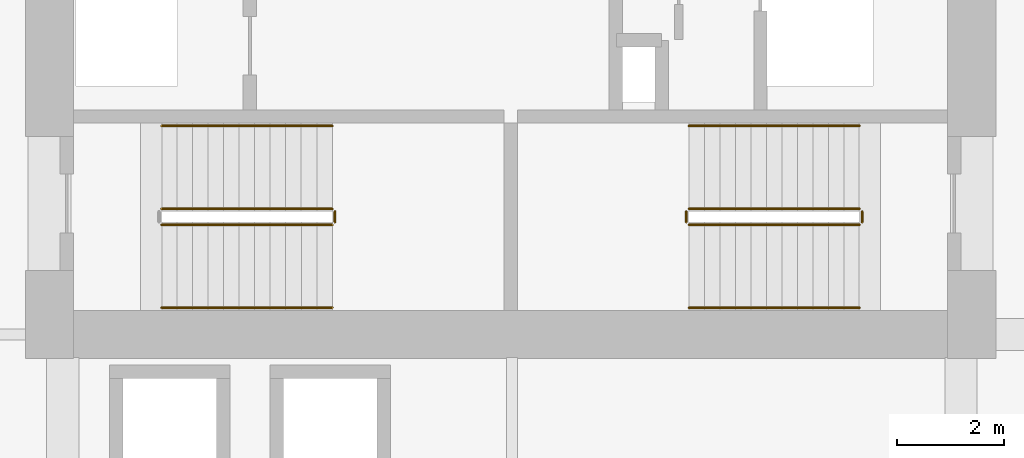
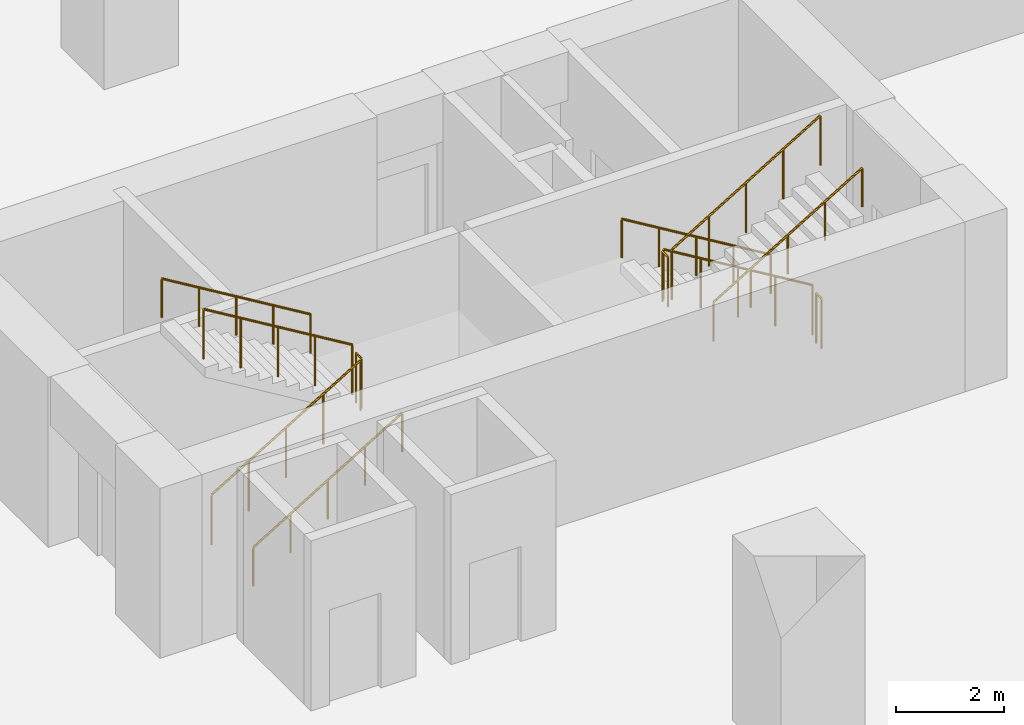
# One storey, part 12 of 13: 11 railings.
"""IFC4 building model written with IfcOpenShell, lengths in metres."""

from ifc_helpers import new_model, si_unit, direction, frame, origin, origin_2d, place, context, subcontext, project, spatial, circle, extrude, material, type_object, element, save


model = new_model("IFC4")

# Units and contexts
model_context = context("Model", 3, precision=1e-05, world=origin(), true_north=direction((0.0, 1.0)))
body_context = subcontext(model_context, "Body", "Model", "MODEL_VIEW")
ifc_project = project(units=[si_unit("LENGTHUNIT", "METRE"), si_unit("AREAUNIT", "SQUARE_METRE"), si_unit("VOLUMEUNIT", "CUBIC_METRE"), si_unit("PLANEANGLEUNIT", "RADIAN"), si_unit("MASSUNIT", "GRAM", prefix="KILO")], contexts=[model_context])

# Site, building, storey
site_placement = place(None, origin())
site = spatial("IfcSite", under=ifc_project, at=site_placement, CompositionType="ELEMENT")
building_placement = place(site_placement, origin())
building = spatial("IfcBuilding", under=site, at=building_placement, Name="Koriwani Terraces Tower", CompositionType="ELEMENT")
storey_placement = place(building_placement, frame((0.0, 0.0, -4.199951171875)))
storey = spatial("IfcBuildingStorey", under=building, at=storey_placement, Name="B01", CompositionType="ELEMENT", Elevation=-4.199951171875)

# Railings
ifc_material = material(Name="Steel ASTM A572 Grade 50", Category="steel")
railing_type_1 = type_object("IfcRailingType", Name="GUARD_STAIR_WELL_1120", PredefinedType="GUARDRAIL", material=ifc_material)
railing_1_placement = place(storey_placement, frame((43.85009765625, 18.85009765625, 0.175048828125)))
element("IfcRailing", 1, at=railing_1_placement, inside=storey, type_object=railing_type_1, Name="B01 ST-E1 stair guard 1", PredefinedType="GUARDRAIL", context=body_context, shape_type="SweptSolid", body=[
    extrude(circle(Radius=0.02392578125, at=origin_2d()), frame((0.0, 0.0, 1.1259765625), z_axis=(0.856206652436, 0.0, 0.516633495163), x_axis=(0.0, 1.0, 0.0)), (0.0, 0.0, 1.0), 3.7255859375),
    extrude(circle(Radius=0.02099609375, at=origin_2d()), origin(), (0.0, 0.0, 1.0), 1.101806640625),
    extrude(circle(Radius=0.02099609375, at=origin_2d()), frame((0.79736328125, 0.0, 0.481201171875)), (0.0, 0.0, 1.0), 1.101806640625),
    extrude(circle(Radius=0.02099609375, at=origin_2d()), frame((1.594970703125, 0.0, 0.96240234375)), (0.0, 0.0, 1.0), 1.101806640625),
    extrude(circle(Radius=0.02099609375, at=origin_2d()), frame((2.392578125, 0.0, 1.443603515625)), (0.0, 0.0, 1.0), 1.101806640625),
    extrude(circle(Radius=0.02099609375, at=origin_2d()), frame((3.18994140625, 0.0, 1.9248046875)), (0.0, 0.0, 1.0), 1.101806640625),
])
railing_2_placement = place(storey_placement, frame((47.090087890625, 18.89990234375, 2.099853515625)))
element("IfcRailing", 2, at=railing_2_placement, inside=storey, type_object=railing_type_1, Name="B01 ST-E1 stair guard 2", PredefinedType="GUARDRAIL", context=body_context, shape_type="SweptSolid", body=[
    extrude(circle(Radius=0.02392578125, at=origin_2d()), frame((0.0, 0.0, 1.1259765625), z_axis=(0.0, 1.0, 0.0), x_axis=(-1.0, 0.0, 0.0)), (0.0, 0.0, 1.0), 0.2001953125),
    extrude(circle(Radius=0.02099609375, at=origin_2d()), origin(), (0.0, 0.0, 1.0), 1.101806640625),
    extrude(circle(Radius=0.02099609375, at=origin_2d()), frame((0.0, 0.2001953125, 0.0)), (0.0, 0.0, 1.0), 1.101806640625),
])
railing_3_placement = place(storey_placement, frame((47.0400390625, 19.14990234375, 2.27490234375)))
element("IfcRailing", 3, at=railing_3_placement, inside=storey, type_object=railing_type_1, Name="B01 ST-E1 stair guard 3", PredefinedType="GUARDRAIL", context=body_context, shape_type="SweptSolid", body=[
    extrude(circle(Radius=0.02392578125, at=origin_2d()), frame((0.0, 0.0, 1.1259765625), z_axis=(-0.856177665481, 0.0, 0.516681531633), x_axis=(0.0, -1.0, 0.0)), (0.0, 0.0, 1.0), 3.725830078125),
    extrude(circle(Radius=0.02099609375, at=origin_2d()), origin(), (0.0, 0.0, 1.0), 1.101806640625),
    extrude(circle(Radius=0.02099609375, at=origin_2d()), frame((-0.79736328125, 0.0, 0.481201171875)), (0.0, 0.0, 1.0), 1.101806640625),
    extrude(circle(Radius=0.02099609375, at=origin_2d()), frame((-1.594970703125, 0.0, 0.96240234375)), (0.0, 0.0, 1.0), 1.101806640625),
    extrude(circle(Radius=0.02099609375, at=origin_2d()), frame((-2.392578125, 0.0, 1.44384765625)), (0.0, 0.0, 1.0), 1.101806640625),
    extrude(circle(Radius=0.02099609375, at=origin_2d()), frame((-3.18994140625, 0.0, 1.925048828125)), (0.0, 0.0, 1.0), 1.101806640625),
])
railing_4_placement = place(storey_placement, frame((56.89990234375, 19.14990234375, 0.175048828125)))
element("IfcRailing", 4, at=railing_4_placement, inside=storey, type_object=railing_type_1, Name="B01 ST-E2 stair guard 1", PredefinedType="GUARDRAIL", context=body_context, shape_type="SweptSolid", body=[
    extrude(circle(Radius=0.02392578125, at=origin_2d()), frame((0.0, 0.0, 1.1259765625), z_axis=(-0.856206652436, 0.0, 0.516633495163), x_axis=(0.0, -1.0, 0.0)), (0.0, 0.0, 1.0), 3.7255859375),
    extrude(circle(Radius=0.02099609375, at=origin_2d()), origin(), (0.0, 0.0, 1.0), 1.101806640625),
    extrude(circle(Radius=0.02099609375, at=origin_2d()), frame((-0.79736328125, 0.0, 0.481201171875)), (0.0, 0.0, 1.0), 1.101806640625),
    extrude(circle(Radius=0.02099609375, at=origin_2d()), frame((-1.594970703125, 0.0, 0.96240234375)), (0.0, 0.0, 1.0), 1.101806640625),
    extrude(circle(Radius=0.02099609375, at=origin_2d()), frame((-2.392578125, 0.0, 1.443603515625)), (0.0, 0.0, 1.0), 1.101806640625),
    extrude(circle(Radius=0.02099609375, at=origin_2d()), frame((-3.18994140625, 0.0, 1.9248046875)), (0.0, 0.0, 1.0), 1.101806640625),
])
railing_5_placement = place(storey_placement, frame((53.659912109375, 19.10009765625, 2.099853515625)))
element("IfcRailing", 5, at=railing_5_placement, inside=storey, type_object=railing_type_1, Name="B01 ST-E2 stair guard 2", PredefinedType="GUARDRAIL", context=body_context, shape_type="SweptSolid", body=[
    extrude(circle(Radius=0.02392578125, at=origin_2d()), frame((0.0, 0.0, 1.1259765625), z_axis=(0.0, -1.0, 0.0), x_axis=(1.0, 0.0, 0.0)), (0.0, 0.0, 1.0), 0.2001953125),
    extrude(circle(Radius=0.02099609375, at=origin_2d()), origin(), (0.0, 0.0, 1.0), 1.101806640625),
    extrude(circle(Radius=0.02099609375, at=origin_2d()), frame((0.0, -0.2001953125, 0.0)), (0.0, 0.0, 1.0), 1.101806640625),
])
railing_6_placement = place(storey_placement, frame((53.7099609375, 18.85009765625, 2.27490234375)))
element("IfcRailing", 6, at=railing_6_placement, inside=storey, type_object=railing_type_1, Name="B01 ST-E2 stair guard 3", PredefinedType="GUARDRAIL", context=body_context, shape_type="SweptSolid", body=[
    extrude(circle(Radius=0.02392578125, at=origin_2d()), frame((0.0, 0.0, 1.1259765625), z_axis=(0.856177665481, 0.0, 0.516681531633), x_axis=(0.0, 1.0, 0.0)), (0.0, 0.0, 1.0), 3.725830078125),
    extrude(circle(Radius=0.02099609375, at=origin_2d()), origin(), (0.0, 0.0, 1.0), 1.101806640625),
    extrude(circle(Radius=0.02099609375, at=origin_2d()), frame((0.79736328125, 0.0, 0.481201171875)), (0.0, 0.0, 1.0), 1.101806640625),
    extrude(circle(Radius=0.02099609375, at=origin_2d()), frame((1.594970703125, 0.0, 0.96240234375)), (0.0, 0.0, 1.0), 1.101806640625),
    extrude(circle(Radius=0.02099609375, at=origin_2d()), frame((2.392578125, 0.0, 1.44384765625)), (0.0, 0.0, 1.0), 1.101806640625),
    extrude(circle(Radius=0.02099609375, at=origin_2d()), frame((3.18994140625, 0.0, 1.925048828125)), (0.0, 0.0, 1.0), 1.101806640625),
])
railing_7_placement = place(storey_placement, frame((56.949951171875, 19.10009765625, 0.0)))
element("IfcRailing", 7, at=railing_7_placement, inside=storey, type_object=railing_type_1, Name="B01 ST-E2 stair guard 4", PredefinedType="GUARDRAIL", context=body_context, shape_type="SweptSolid", body=[
    extrude(circle(Radius=0.02392578125, at=origin_2d()), frame((0.0, 0.0, 1.1259765625), z_axis=(0.0, -1.0, 0.0), x_axis=(1.0, 0.0, 0.0)), (0.0, 0.0, 1.0), 0.2001953125),
    extrude(circle(Radius=0.02099609375, at=origin_2d()), origin(), (0.0, 0.0, 1.0), 1.101806640625),
    extrude(circle(Radius=0.02099609375, at=origin_2d()), frame((0.0, -0.2001953125, 0.0)), (0.0, 0.0, 1.0), 1.101806640625),
])
railing_type_2 = type_object("IfcRailingType", Name="HANDRAIL_STAIR_920", PredefinedType="HANDRAIL", material=ifc_material)
railing_8_placement = place(storey_placement, frame((43.85009765625, 17.300048828125, 0.175048828125)))
element("IfcRailing", 8, at=railing_8_placement, inside=storey, type_object=railing_type_2, Name="B01 ST-E1 stair handrail 1", PredefinedType="HANDRAIL", context=body_context, shape_type="SweptSolid", body=[
    extrude(circle(Radius=0.02392578125, at=origin_2d()), frame((0.0, 0.0, 0.8759765625), z_axis=(0.856206652436, 0.0, 0.516633495163), x_axis=(0.0, 1.0, 0.0)), (0.0, 0.0, 1.0), 3.7255859375),
    extrude(circle(Radius=0.02099609375, at=origin_2d()), origin(), (0.0, 0.0, 1.0), 0.851806640625),
    extrude(circle(Radius=0.02099609375, at=origin_2d()), frame((0.79736328125, 0.0, 0.481201171875)), (0.0, 0.0, 1.0), 0.851806640625),
    extrude(circle(Radius=0.02099609375, at=origin_2d()), frame((1.594970703125, 0.0, 0.96240234375)), (0.0, 0.0, 1.0), 0.851806640625),
    extrude(circle(Radius=0.02099609375, at=origin_2d()), frame((2.392578125, 0.0, 1.443603515625)), (0.0, 0.0, 1.0), 0.851806640625),
    extrude(circle(Radius=0.02099609375, at=origin_2d()), frame((3.18994140625, 0.0, 1.9248046875)), (0.0, 0.0, 1.0), 0.851806640625),
])
railing_9_placement = place(storey_placement, frame((47.0400390625, 20.699951171875, 2.27490234375)))
element("IfcRailing", 9, at=railing_9_placement, inside=storey, type_object=railing_type_2, Name="B01 ST-E1 stair handrail 2", PredefinedType="HANDRAIL", context=body_context, shape_type="SweptSolid", body=[
    extrude(circle(Radius=0.02392578125, at=origin_2d()), frame((0.0, 0.0, 0.8759765625), z_axis=(-0.856177665481, 0.0, 0.516681531633), x_axis=(0.0, -1.0, 0.0)), (0.0, 0.0, 1.0), 3.725830078125),
    extrude(circle(Radius=0.02099609375, at=origin_2d()), origin(), (0.0, 0.0, 1.0), 0.851806640625),
    extrude(circle(Radius=0.02099609375, at=origin_2d()), frame((-0.79736328125, 0.0, 0.481201171875)), (0.0, 0.0, 1.0), 0.851806640625),
    extrude(circle(Radius=0.02099609375, at=origin_2d()), frame((-1.594970703125, 0.0, 0.96240234375)), (0.0, 0.0, 1.0), 0.851806640625),
    extrude(circle(Radius=0.02099609375, at=origin_2d()), frame((-2.392578125, 0.0, 1.44384765625)), (0.0, 0.0, 1.0), 0.851806640625),
    extrude(circle(Radius=0.02099609375, at=origin_2d()), frame((-3.18994140625, 0.0, 1.925048828125)), (0.0, 0.0, 1.0), 0.851806640625),
])
railing_10_placement = place(storey_placement, frame((56.89990234375, 20.699951171875, 0.175048828125)))
element("IfcRailing", 10, at=railing_10_placement, inside=storey, type_object=railing_type_2, Name="B01 ST-E2 stair handrail 1", PredefinedType="HANDRAIL", context=body_context, shape_type="SweptSolid", body=[
    extrude(circle(Radius=0.02392578125, at=origin_2d()), frame((0.0, 0.0, 0.8759765625), z_axis=(-0.856206652436, 0.0, 0.516633495163), x_axis=(0.0, -1.0, 0.0)), (0.0, 0.0, 1.0), 3.7255859375),
    extrude(circle(Radius=0.02099609375, at=origin_2d()), origin(), (0.0, 0.0, 1.0), 0.851806640625),
    extrude(circle(Radius=0.02099609375, at=origin_2d()), frame((-0.79736328125, 0.0, 0.481201171875)), (0.0, 0.0, 1.0), 0.851806640625),
    extrude(circle(Radius=0.02099609375, at=origin_2d()), frame((-1.594970703125, 0.0, 0.96240234375)), (0.0, 0.0, 1.0), 0.851806640625),
    extrude(circle(Radius=0.02099609375, at=origin_2d()), frame((-2.392578125, 0.0, 1.443603515625)), (0.0, 0.0, 1.0), 0.851806640625),
    extrude(circle(Radius=0.02099609375, at=origin_2d()), frame((-3.18994140625, 0.0, 1.9248046875)), (0.0, 0.0, 1.0), 0.851806640625),
])
railing_11_placement = place(storey_placement, frame((53.7099609375, 17.300048828125, 2.27490234375)))
element("IfcRailing", 11, at=railing_11_placement, inside=storey, type_object=railing_type_2, Name="B01 ST-E2 stair handrail 2", PredefinedType="HANDRAIL", context=body_context, shape_type="SweptSolid", body=[
    extrude(circle(Radius=0.02392578125, at=origin_2d()), frame((0.0, 0.0, 0.8759765625), z_axis=(0.856177665481, 0.0, 0.516681531633), x_axis=(0.0, 1.0, 0.0)), (0.0, 0.0, 1.0), 3.725830078125),
    extrude(circle(Radius=0.02099609375, at=origin_2d()), origin(), (0.0, 0.0, 1.0), 0.851806640625),
    extrude(circle(Radius=0.02099609375, at=origin_2d()), frame((0.79736328125, 0.0, 0.481201171875)), (0.0, 0.0, 1.0), 0.851806640625),
    extrude(circle(Radius=0.02099609375, at=origin_2d()), frame((1.594970703125, 0.0, 0.96240234375)), (0.0, 0.0, 1.0), 0.851806640625),
    extrude(circle(Radius=0.02099609375, at=origin_2d()), frame((2.392578125, 0.0, 1.44384765625)), (0.0, 0.0, 1.0), 0.851806640625),
    extrude(circle(Radius=0.02099609375, at=origin_2d()), frame((3.18994140625, 0.0, 1.925048828125)), (0.0, 0.0, 1.0), 0.851806640625),
])

save(model, "model.ifc")
